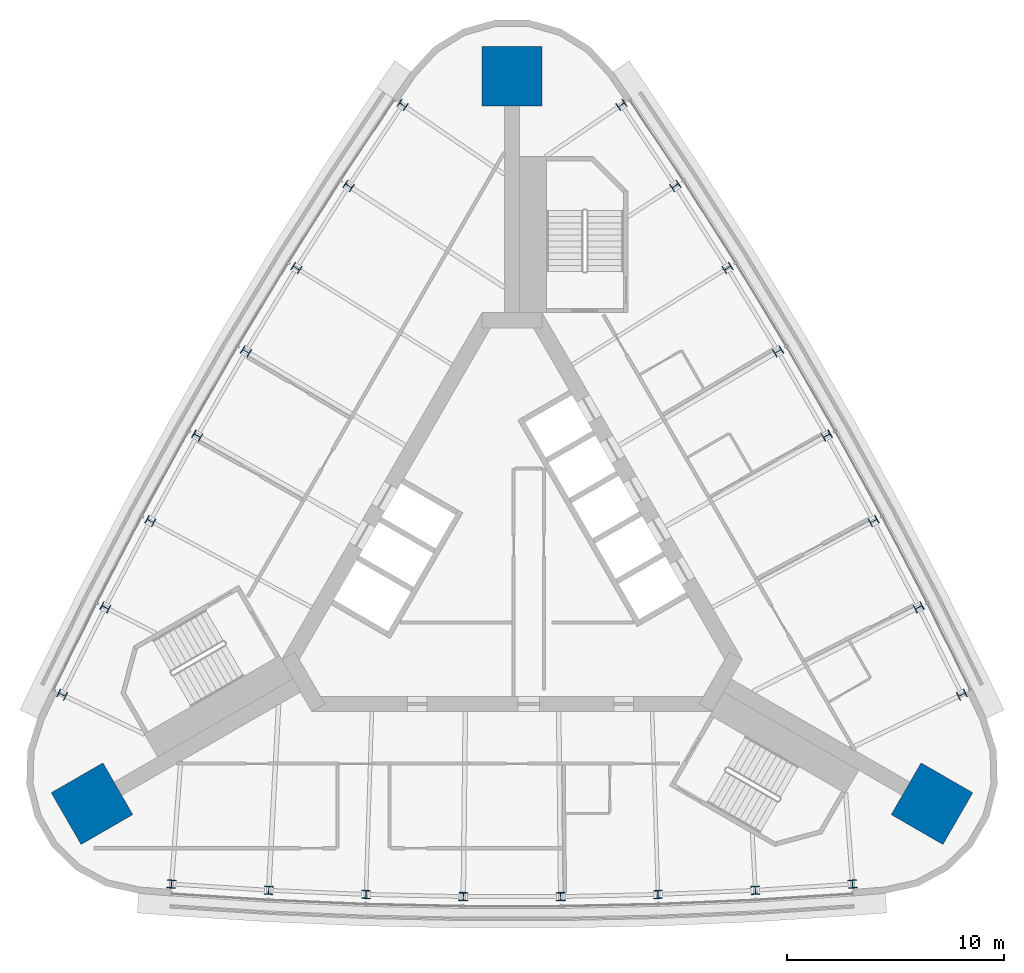
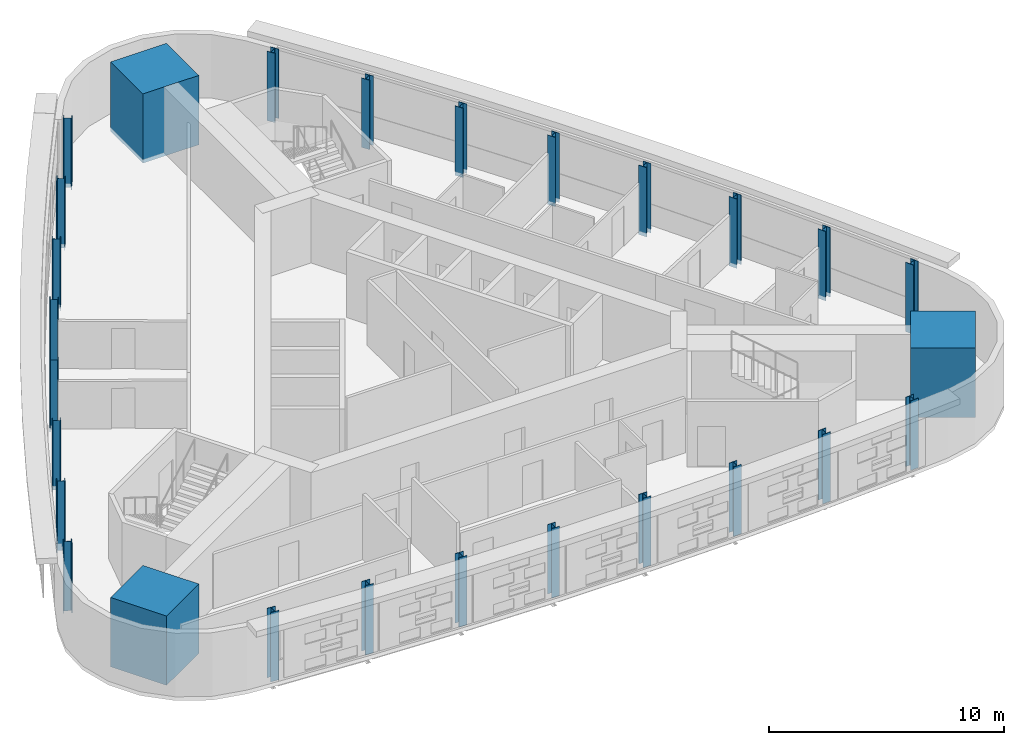
# One storey, part 1 of 12: 27 columns.
"""IFC4 building model written with IfcOpenShell, lengths in metres."""

from ifc_helpers import new_model, si_unit, direction, frame, origin, origin_2d, place, context, subcontext, project, spatial, rectangle, i_section, extrude, material, material_profile, profile_set, type_object, element, save


model = new_model("IFC4")

# Units and contexts
model_context = context("Model", 3, precision=1e-05, world=origin(), true_north=direction((0.0, 1.0)))
body_context = subcontext(model_context, "Body", "Model", "MODEL_VIEW")
ifc_project = project(units=[si_unit("LENGTHUNIT", "METRE"), si_unit("AREAUNIT", "SQUARE_METRE"), si_unit("VOLUMEUNIT", "CUBIC_METRE"), si_unit("PLANEANGLEUNIT", "RADIAN"), si_unit("MASSUNIT", "GRAM", prefix="KILO")], contexts=[model_context])

# Site, building, storey
site_placement = place(None, origin())
site = spatial("IfcSite", under=ifc_project, at=site_placement, CompositionType="ELEMENT")
building_placement = place(site_placement, origin())
building = spatial("IfcBuilding", under=site, at=building_placement, Name="Noor Cloister Tower", CompositionType="ELEMENT")
storey_placement = place(building_placement, frame((0.0, 0.0, 188.699951171875)))
storey = spatial("IfcBuildingStorey", under=building, at=storey_placement, Name="L48", CompositionType="ELEMENT", Elevation=188.699951171875)

# Columns
ifc_material_1 = material(Name="Steel ASTM A992 Gr 50", Category="steel")
ifc_material_profile_1 = material_profile(ifc_material_1, i_section(OverallWidth=0.39404296875, OverallDepth=0.3759765625, WebThickness=0.017333984375, FlangeThickness=0.027587890625, FilletRadius=0.01513671875, at=origin_2d()), Name="W360x216")
ifc_profile_set_1 = profile_set([ifc_material_profile_1], Name="Steel ASTM A992 Gr 50")
column_type_1 = type_object("IfcColumnType", Name="Column W360x216", PredefinedType="COLUMN", material=ifc_profile_set_1)
for number, where, z_axis, x_axis, name in (
    (1, (-5.0400390625, 21.03173828125, -0.199951171875), (0.0, 0.0, 1.0), (-0.563426124818, -0.826166449254, 0.0), "Column NW 01 L48"),
    (2, (-7.52880859375, 17.296875, -0.199951171875), (0.0, 0.0, 1.0), (-0.54561175078, -0.838038076349, 0.0), "Column NW 02 L48"),
    (3, (-9.937255859375, 13.509765625, -0.199951171875), (0.0, 0.0, 1.0), (-0.527547329709, -0.849525641118, 0.0), "Column NW 03 L48"),
    (4, (-12.263916015625, 9.671875, -0.199951171875), (0.0, 0.0, 1.0), (-0.509241140315, -0.860623878945, 0.0), "Column NW 04 L48"),
    (5, (-14.508056640625, 5.784912109375, -0.199951171875), (0.0, 0.0, 1.0), (-0.490701572112, -0.871327703638, 0.0), "Column NW 05 L48"),
    (6, (-16.66845703125, 1.85107421875, -0.199951171875), (0.0, 0.0, 1.0), (-0.47193712152, -0.881632209786, 0.0), "Column NW 06 L48"),
    (7, (-18.744140625, -2.12841796875, -0.199951171875), (0.0, 0.0, 1.0), (-0.452956388067, -0.891532674953, 0.0), "Column NW 07 L48"),
    (8, (-20.734130859375, -6.151123046875, -0.199951171875), (0.0, 0.0, 1.0), (-0.4337680704, -0.901024561875, 0.0), "Column NW 08 L48"),
    (9, (-15.694091796875, -14.880615234375, -0.199951171875), (0.0, 0.0, 1.0), (0.997194195217, -0.074858112621, 0.0), "Column S 01 L48"),
    (10, (-11.215087890625, -15.168701171875, -0.199951171875), (0.0, 0.0, 1.0), (0.998568138847, -0.053494598604, 0.0), "Column S 02 L48"),
    (11, (-6.731201171875, -15.36083984375, -0.199951171875), (0.0, 0.0, 1.0), (0.999484451229, -0.032106568667, 0.0), "Column S 03 L48"),
    (12, (-2.244140625, -15.456787109375, -0.199951171875), (0.0, 0.0, 1.0), (0.999942712428, -0.010703824693, 0.0), "Column S 04 L48"),
    (13, (2.244140625, -15.456787109375, -0.199951171875), (0.0, 0.0, 1.0), (0.999942712428, 0.010703824693, 0.0), "Column S 05 L48"),
    (14, (6.731201171875, -15.36083984375, -0.199951171875), (0.0, 0.0, 1.0), (0.999484451229, 0.032106568667, 0.0), "Column S 06 L48"),
    (15, (11.215087890625, -15.168701171875, -0.199951171875), (0.0, 0.0, 1.0), (0.998568138847, 0.053494598604, 0.0), "Column S 07 L48"),
    (16, (15.694091796875, -14.880615234375, -0.199951171875), (0.0, 0.0, 1.0), (0.997194195217, 0.074858112621, 0.0), "Column S 08 L48"),
    (17, (20.734130859375, -6.151123046875, -0.199951171875), (0.0, 0.0, 1.0), (-0.4337680704, 0.901024561875, 0.0), "Column NE 01 L48"),
    (18, (18.744140625, -2.12841796875, -0.199951171875), (0.0, 0.0, 1.0), (-0.452956388067, 0.891532674953, 0.0), "Column NE 02 L48"),
    (19, (16.66845703125, 1.85107421875, -0.199951171875), (0.0, 0.0, 1.0), (-0.47193712152, 0.881632209786, 0.0), "Column NE 03 L48"),
    (20, (14.508056640625, 5.784912109375, -0.199951171875), (0.0, 0.0, 1.0), (-0.490701572112, 0.871327703638, 0.0), "Column NE 04 L48"),
    (21, (12.263916015625, 9.671875, -0.199951171875), (0.0, 0.0, 1.0), (-0.509241140315, 0.860623878945, 0.0), "Column NE 05 L48"),
    (22, (9.937255859375, 13.509765625, -0.199951171875), (0.0, 0.0, 1.0), (-0.527547329709, 0.849525641118, 0.0), "Column NE 06 L48"),
    (23, (7.52880859375, 17.296875, -0.199951171875), (0.0, 0.0, 1.0), (-0.54561175078, 0.838038076349, 0.0), "Column NE 07 L48"),
    (24, (5.0400390625, 21.03173828125, -0.199951171875), (0.0, 0.0, 1.0), (-0.563426124818, 0.826166449254, 0.0), "Column NE 08 L48"),
):
    element("IfcColumn", number, at=place(storey_placement, frame(where, z_axis=z_axis, x_axis=x_axis)), inside=storey, type_object=column_type_1, Name=name, PredefinedType="COLUMN", context=body_context, shape_type="SweptSolid", body=[
        extrude(i_section(OverallWidth=0.39404296875, OverallDepth=0.3759765625, WebThickness=0.017333984375, FlangeThickness=0.027587890625, FilletRadius=0.01513671875, at=origin_2d()), origin(), (0.0, 0.0, 1.0), 3.60009765625),
    ])
ifc_material_2 = material(Name="Concrete C70/85", Category="concrete")
ifc_material_profile_2 = material_profile(ifc_material_2, rectangle(XDim=2.75, YDim=2.75, at=origin_2d()), Name="RC 2750x2750")
ifc_profile_set_2 = profile_set([ifc_material_profile_2], Name="Concrete C70/85")
column_type_2 = type_object("IfcColumnType", Name="Corner pier 2750 x 2750 C70/85", PredefinedType="COLUMN", material=ifc_profile_set_2)
for number, where, z_axis, x_axis, name in (
    (25, (0.0, 22.35302734375, -0.199951171875), (0.0, 0.0, 1.0), (0.0, 1.0, 0.0), "Corner pier N L48"),
    (26, (-19.358154296875, -11.176513671875, -0.199951171875), (0.0, 0.0, 1.0), (-0.866025403784, -0.5, 0.0), "Corner pier SW L48"),
    (27, (19.358154296875, -11.176513671875, -0.199951171875), (0.0, 0.0, 1.0), (0.866025403784, -0.5, 0.0), "Corner pier SE L48"),
):
    element("IfcColumn", number, at=place(storey_placement, frame(where, z_axis=z_axis, x_axis=x_axis)), inside=storey, type_object=column_type_2, Name=name, PredefinedType="COLUMN", context=body_context, shape_type="SweptSolid", body=[
        extrude(rectangle(XDim=2.75, YDim=2.75, at=origin_2d()), origin(), (0.0, 0.0, 1.0), 3.60009765625),
    ])

save(model, "model.ifc")
